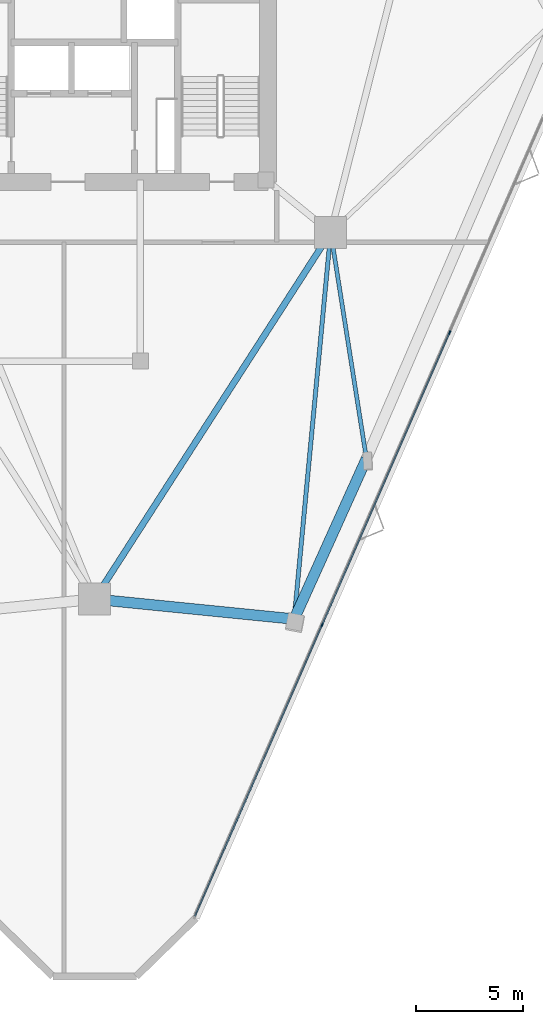
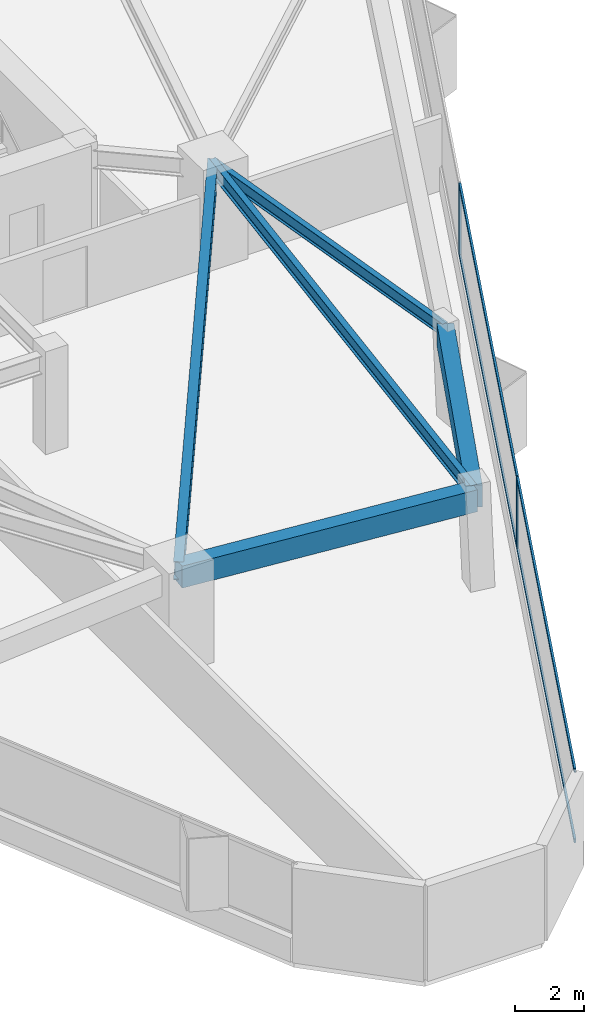
# One storey, part 3 of 14: 6 members, 5 beams, 1 element without a shape of its own.
"""IFC4 building model written with IfcOpenShell, lengths in metres."""

from ifc_helpers import new_model, si_unit, direction, frame, origin, origin_2d, place, context, subcontext, project, spatial, rectangle, i_section, extrude, material, layer, layer_set, material_profile, profile_set, type_object, element, aggregate, save


model = new_model("IFC4")

# Units and contexts
model_context = context("Model", 3, precision=1e-05, world=origin(), true_north=direction((0.0, 1.0)))
body_context = subcontext(model_context, "Body", "Model", "MODEL_VIEW")
ifc_project = project(units=[si_unit("LENGTHUNIT", "METRE"), si_unit("AREAUNIT", "SQUARE_METRE"), si_unit("VOLUMEUNIT", "CUBIC_METRE"), si_unit("PLANEANGLEUNIT", "RADIAN"), si_unit("MASSUNIT", "GRAM", prefix="KILO")], contexts=[model_context])

# Site, building, storey
site_placement = place(None, origin())
site = spatial("IfcSite", under=ifc_project, at=site_placement, CompositionType="ELEMENT")
building_placement = place(site_placement, origin())
building = spatial("IfcBuilding", under=site, at=building_placement, Name="Talyreon Biosciences Tower", CompositionType="ELEMENT")
storey_placement = place(building_placement, frame((0.0, 0.0, 141.800048828125)))
storey = spatial("IfcBuildingStorey", under=building, at=storey_placement, Name="L37", CompositionType="ELEMENT", Elevation=141.800048828125)

# Curtain wall, members
ifc_material_1 = material(Name="Thermally broken aluminium and low-E glazing", Category="aluminium")
ifc_layer = layer(ifc_material_1, 0.18505859375)
ifc_layer_set = layer_set([ifc_layer], Name="Thermally broken aluminium and low-E glazing")
curtain_wall_type = type_object("IfcCurtainWallType", Name="CurtainWall_Zone3Bioprocess", PredefinedType="NOTDEFINED", material=ifc_layer_set)
curtain_wall_placement = place(storey_placement, origin())
curtain_wall = element("IfcCurtainWall", 1, at=curtain_wall_placement, inside=storey, type_object=curtain_wall_type, Name="L37 Unitised Curtain Wall FCW-L37-08", PredefinedType="NOTDEFINED")
ifc_material_2 = material(Name="Anodised thermally broken aluminium", Category="aluminium")
ifc_material_profile_1 = material_profile(ifc_material_2, rectangle(XDim=0.06494140625, YDim=0.179931640625, at=origin_2d()), Name="ALUM MULLION 65x180")
ifc_profile_set_1 = profile_set([ifc_material_profile_1], Name="Anodised thermally broken aluminium")
member_type_1 = type_object("IfcMemberType", Name="CWMullion_65x180", PredefinedType="MULLION", material=ifc_profile_set_1)
member_1_placement = place(storey_placement, frame((82.671630859375, 54.18212890625, 0.81005859375), z_axis=(0.0, 0.0, 1.0), x_axis=(0.916566441856, -0.399882429801, 0.0)))
member_1 = element("IfcMember", 2, at=member_1_placement, type_object=member_type_1, Name="CW4 mullion 3", PredefinedType="MULLION", context=body_context, shape_type="SweptSolid", body=[
    extrude(rectangle(XDim=0.06494140625, YDim=0.179931640625, at=origin_2d()), origin(), (0.0, 0.0, 1.0), 2.56494140625),
])
member_2_placement = place(storey_placement, frame((76.68212890625, 40.453857421875, 0.81005859375), z_axis=(0.0, 0.0, 1.0), x_axis=(0.916566441856, -0.399882429801, 0.0)))
member_2 = element("IfcMember", 3, at=member_2_placement, type_object=member_type_1, Name="CW4 mullion 4", PredefinedType="MULLION", context=body_context, shape_type="SweptSolid", body=[
    extrude(rectangle(XDim=0.06494140625, YDim=0.179931640625, at=origin_2d()), origin(), (0.0, 0.0, 1.0), 2.56494140625),
])
ifc_material_profile_2 = material_profile(ifc_material_2, rectangle(XDim=0.06494140625, YDim=0.139892578125, at=origin_2d()), Name="ALUM TRANSOM 65x140")
ifc_profile_set_2 = profile_set([ifc_material_profile_2], Name="Anodised thermally broken aluminium")
member_type_2 = type_object("IfcMemberType", Name="CWTransom_65x140", PredefinedType="USERDEFINED", material=ifc_profile_set_2)
member_3_placement = place(storey_placement, frame((82.65869140625, 54.15234375, 0.842529296875), z_axis=(-0.399879943614, -0.916567526533, 0.0), x_axis=(0.916567526533, -0.399879943614, 0.0)))
member_3 = element("IfcMember", 4, at=member_3_placement, type_object=member_type_2, Name="CW4 transom 3.1", ObjectType="TRANSOM", PredefinedType="USERDEFINED", context=body_context, shape_type="SweptSolid", body=[
    extrude(rectangle(XDim=0.06494140625, YDim=0.139892578125, at=origin_2d()), origin(), (0.0, 0.0, 1.0), 14.912841796875),
])
member_4_placement = place(storey_placement, frame((82.65869140625, 54.15234375, 3.342529296875), z_axis=(-0.399879943614, -0.916567526533, 0.0), x_axis=(0.916567526533, -0.399879943614, 0.0)))
member_4 = element("IfcMember", 5, at=member_4_placement, type_object=member_type_2, Name="CW4 transom 3.2", ObjectType="TRANSOM", PredefinedType="USERDEFINED", context=body_context, shape_type="SweptSolid", body=[
    extrude(rectangle(XDim=0.06494140625, YDim=0.139892578125, at=origin_2d()), origin(), (0.0, 0.0, 1.0), 14.912841796875),
])
member_5_placement = place(storey_placement, frame((76.669189453125, 40.424072265625, 0.842529296875), z_axis=(-0.39988306059, -0.916566166653, 0.0), x_axis=(0.916566166653, -0.39988306059, 0.0)))
member_5 = element("IfcMember", 6, at=member_5_placement, type_object=member_type_2, Name="CW4 transom 4.1", ObjectType="TRANSOM", PredefinedType="USERDEFINED", context=body_context, shape_type="SweptSolid", body=[
    extrude(rectangle(XDim=0.06494140625, YDim=0.139892578125, at=origin_2d()), origin(), (0.0, 0.0, 1.0), 14.88037109375),
])
member_6_placement = place(storey_placement, frame((76.669189453125, 40.424072265625, 3.342529296875), z_axis=(-0.39988306059, -0.916566166653, 0.0), x_axis=(0.916566166653, -0.39988306059, 0.0)))
member_6 = element("IfcMember", 7, at=member_6_placement, type_object=member_type_2, Name="CW4 transom 4.2", ObjectType="TRANSOM", PredefinedType="USERDEFINED", context=body_context, shape_type="SweptSolid", body=[
    extrude(rectangle(XDim=0.06494140625, YDim=0.139892578125, at=origin_2d()), origin(), (0.0, 0.0, 1.0), 14.88037109375),
])
aggregate(curtain_wall, [member_1, member_2, member_3, member_4, member_5, member_6])

# Beams
ifc_material_3 = material(Name="Precast concrete C45/55", Category="concrete")
ifc_material_profile_3 = material_profile(ifc_material_3, rectangle(XDim=0.5, YDim=0.780029296875, at=origin_2d()), Name="RCB 500x780")
ifc_profile_set_3 = profile_set([ifc_material_profile_3], Name="Precast concrete C45/55")
beam_type_1 = type_object("IfcBeamType", Name="ExpressedSpandrel_500x780", PredefinedType="SPANDREL", material=ifc_profile_set_3)
beam_1_placement = place(storey_placement, frame((66.0, 41.6669921875, 2.98486328125), z_axis=(0.995041295816, -0.099462654406, 0.0), x_axis=(0.099462654406, 0.995041295816, 0.0)))
element("IfcBeam", 8, at=beam_1_placement, inside=storey, type_object=beam_type_1, Name="L37 Expressed Horizontal Concrete Spandrel 01", PredefinedType="SPANDREL", context=body_context, shape_type="SweptSolid", body=[
    extrude(rectangle(XDim=0.5, YDim=0.780029296875, at=origin_2d()), origin(), (0.0, 0.0, 1.0), 9.418212890625),
])
beam_2_placement = place(storey_placement, frame((75.37158203125, 40.730224609375, 2.98486328125), z_axis=(0.410834152035, 0.911710096205, 0.0), x_axis=(-0.911710096205, 0.410834152035, 0.0)))
element("IfcBeam", 9, at=beam_2_placement, inside=storey, type_object=beam_type_1, Name="L37 Expressed Horizontal Concrete Spandrel 02", PredefinedType="SPANDREL", context=body_context, shape_type="SweptSolid", body=[
    extrude(rectangle(XDim=0.5, YDim=0.780029296875, at=origin_2d()), origin(), (0.0, 0.0, 1.0), 8.259033203125),
])
ifc_material_4 = material(Name="Steel SM355", Category="steel")
ifc_material_profile_4 = material_profile(ifc_material_4, i_section(OverallWidth=0.300048828125, OverallDepth=0.64990234375, WebThickness=0.01611328125, FlangeThickness=0.031005859375, FilletRadius=0.027099609375, at=origin_2d()), Name="HE650B")
ifc_profile_set_4 = profile_set([ifc_material_profile_4], Name="Steel SM355")
beam_type_2 = type_object("IfcBeamType", Name="SteelBeam_HE650B", PredefinedType="BEAM", material=ifc_profile_set_4)
beam_3_placement = place(storey_placement, frame((66.0, 41.6669921875, 3.050048828125), z_axis=(0.541463723609, 0.840724114092, 0.0), x_axis=(-0.840724114092, 0.541463723609, 0.0)))
element("IfcBeam", 10, at=beam_3_placement, inside=storey, type_object=beam_type_2, Name="L37 Mega-Ring Girder 1", PredefinedType="BEAM", context=body_context, shape_type="SweptSolid", body=[
    extrude(i_section(OverallWidth=0.300048828125, OverallDepth=0.64990234375, WebThickness=0.01611328125, FlangeThickness=0.031005859375, FilletRadius=0.027099609375, at=origin_2d()), origin(), (0.0, 0.0, 1.0), 20.474365234375),
])
ifc_material_profile_5 = material_profile(ifc_material_4, i_section(OverallWidth=0.18994140625, OverallDepth=0.449951171875, WebThickness=0.009521484375, FlangeThickness=0.0146484375, FilletRadius=0.02099609375, at=origin_2d()), Name="IPE450")
ifc_profile_set_5 = profile_set([ifc_material_profile_5], Name="Steel SM355")
beam_type_3 = type_object("IfcBeamType", Name="SteelJoist_IPE450", PredefinedType="JOIST", material=ifc_profile_set_5)
beam_4_placement = place(storey_placement, frame((77.086181640625, 58.88037109375, 3.14990234375), z_axis=(0.156104822855, -0.987740494402, 0.0), x_axis=(0.987740494402, 0.156104822855, 0.0)))
element("IfcBeam", 11, at=beam_4_placement, inside=storey, type_object=beam_type_3, Name="L37 Radial Composite Floor Joist PL-SE", PredefinedType="JOIST", context=body_context, shape_type="SweptSolid", body=[
    extrude(i_section(OverallWidth=0.18994140625, OverallDepth=0.449951171875, WebThickness=0.009521484375, FlangeThickness=0.0146484375, FilletRadius=0.02099609375, at=origin_2d()), origin(), (0.0, 0.0, 1.0), 10.752197265625),
])
ifc_material_profile_6 = material_profile(ifc_material_4, i_section(OverallWidth=0.199951171875, OverallDepth=0.5, WebThickness=0.01025390625, FlangeThickness=0.01611328125, FilletRadius=0.02099609375, at=origin_2d()), Name="IPE500")
ifc_profile_set_6 = profile_set([ifc_material_profile_6], Name="Steel SM355")
beam_type_4 = type_object("IfcBeamType", Name="SteelJoist_IPE500", PredefinedType="JOIST", material=ifc_profile_set_6)
beam_5_placement = place(storey_placement, frame((77.086181640625, 58.88037109375, 3.125), z_axis=(-0.094048816471, -0.995567586917, 0.0), x_axis=(0.995567586917, -0.094048816471, 0.0)))
element("IfcBeam", 12, at=beam_5_placement, inside=storey, type_object=beam_type_4, Name="L37 Radial Composite Floor Joist PC-SE1", PredefinedType="JOIST", context=body_context, shape_type="SweptSolid", body=[
    extrude(i_section(OverallWidth=0.199951171875, OverallDepth=0.5, WebThickness=0.01025390625, FlangeThickness=0.01611328125, FilletRadius=0.02099609375, at=origin_2d()), origin(), (0.0, 0.0, 1.0), 18.23095703125),
])

save(model, "model.ifc")
